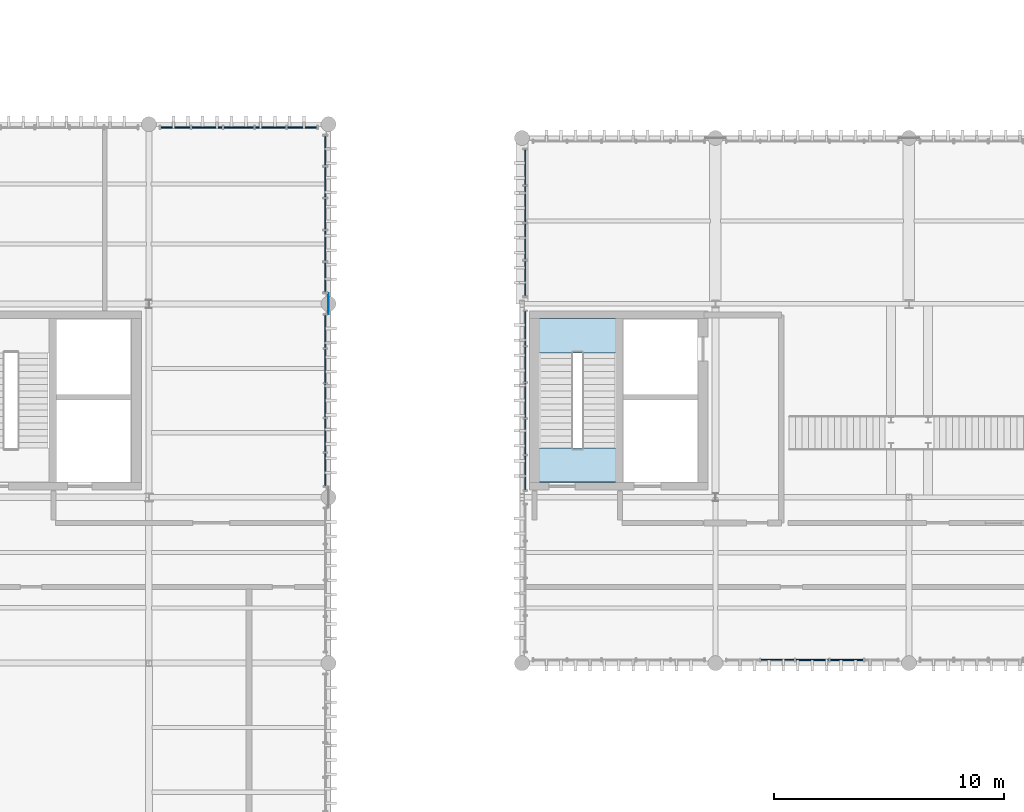
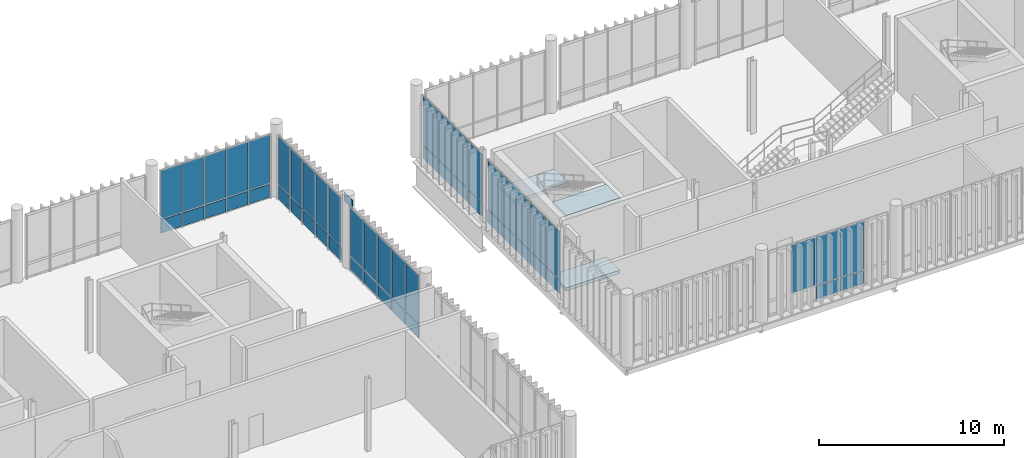
# One storey, part 64 of 86: 54 plates, 3 slabs, 7 elements without a shape of their own.
"""IFC4 building model written with IfcOpenShell, lengths in metres."""

from ifc_helpers import new_model, si_unit, direction, frame, frame_2d, origin_with_axes, origin_2d_with_axis, place, context, subcontext, project, spatial, polyline, rectangle, outline, extrude, material, layer, layer_set, type_object, element, aggregate, save


model = new_model("IFC4")

# Units and contexts
model_context = context("Model", 3, precision=1e-05, world=origin_with_axes(), true_north=direction((0.0, 1.0)))
body_context = subcontext(model_context, "Body", "Model", "MODEL_VIEW")
ifc_project = project(units=[si_unit("LENGTHUNIT", "METRE"), si_unit("AREAUNIT", "SQUARE_METRE"), si_unit("VOLUMEUNIT", "CUBIC_METRE"), si_unit("PLANEANGLEUNIT", "RADIAN"), si_unit("MASSUNIT", "GRAM", prefix="KILO"), si_unit("THERMODYNAMICTEMPERATUREUNIT", "KELVIN")], contexts=[model_context])

# Site, building, storey
site_placement = place(None, origin_with_axes())
site = spatial("IfcSite", under=ifc_project, at=site_placement, CompositionType="ELEMENT")
building_placement = place(site_placement, origin_with_axes())
building = spatial("IfcBuilding", under=site, at=building_placement, Name="Montbau Bow Law Courts", CompositionType="ELEMENT")
storey_placement = place(building_placement, frame((0.0, 0.0, 29.7), z_axis=(0.0, 0.0, 1.0), x_axis=(1.0, 0.0, 0.0)))
storey = spatial("IfcBuildingStorey", under=building, at=storey_placement, Name="L06", CompositionType="ELEMENT", Elevation=29.7)

# Curtain wall, plates
ifc_material_1 = material(Name="Thermally Broken Extruded Aluminium AA 6063-T6", Category="aluminium")
curtain_wall_type_1 = type_object("IfcCurtainWallType", Name="CW-TRC-02", PredefinedType="NOTDEFINED", material=ifc_material_1)
curtain_wall_1_placement = place(None, frame((39.44, 62.26, 29.7), z_axis=(0.0, 0.0, 1.0), x_axis=(1.0, 0.0, 0.0)))
curtain_wall_1 = element("IfcCurtainWall", 1, at=curtain_wall_1_placement, inside=storey, type_object=curtain_wall_type_1, Name="CW-L06-103:cw_0103", PredefinedType="NOTDEFINED")
ifc_material_2 = material(Name="Triple-Glazed Low-E Argon Insulating Glass Unit", Category="glass")
ifc_layer_1 = layer(ifc_material_2, 0.044, Name="Curtain Panel", Category="glass")
ifc_layer_set_1 = layer_set([ifc_layer_1], Name="Triple-Glazed Low-E Argon Insulating Glass Unit")
plate_type_1 = type_object("IfcPlateType", Name="PL-CWP-01", PredefinedType="CURTAIN_PANEL", material=ifc_layer_set_1)
plate_1_placement = place(None, frame((39.508, 62.26, 30.679), z_axis=(0.0, -1.0, 0.0), x_axis=(1.0, 0.0, 0.0)))
plate_1 = element("IfcPlate", 2, at=plate_1_placement, type_object=plate_type_1, Name="CW-L06-103-P01-2:cw_0103_P01_2", PredefinedType="CURTAIN_PANEL", context=body_context, shape_type="SweptSolid", body=[
    extrude(rectangle(XDim=1.281, YDim=3.183, at=frame_2d((0.6405, 1.5915), x_axis=(1.0, 0.0))), frame((0.0, 0.0, -0.022), z_axis=(0.0, 0.0, 1.0), x_axis=(1.0, 0.0, 0.0)), (0.0, 0.0, 1.0), 0.044),
])
plate_2_placement = place(None, frame((40.858, 62.26, 30.679), z_axis=(0.0, -1.0, 0.0), x_axis=(1.0, 0.0, 0.0)))
plate_2 = element("IfcPlate", 3, at=plate_2_placement, type_object=plate_type_1, Name="CW-L06-103-P02-2:cw_0103_P02_2", PredefinedType="CURTAIN_PANEL", context=body_context, shape_type="SweptSolid", body=[
    extrude(rectangle(XDim=1.315, YDim=3.183, at=frame_2d((0.6575, 1.5915), x_axis=(1.0, 0.0))), frame((0.0, 0.0, -0.022), z_axis=(0.0, 0.0, 1.0), x_axis=(1.0, 0.0, 0.0)), (0.0, 0.0, 1.0), 0.044),
])
plate_3_placement = place(None, frame((42.242, 62.26, 30.679), z_axis=(0.0, -1.0, 0.0), x_axis=(1.0, 0.0, 0.0)))
plate_3 = element("IfcPlate", 4, at=plate_3_placement, type_object=plate_type_1, Name="CW-L06-103-P03-2:cw_0103_P03_2", PredefinedType="CURTAIN_PANEL", context=body_context, shape_type="SweptSolid", body=[
    extrude(rectangle(XDim=1.316, YDim=3.183, at=frame_2d((0.658, 1.5915), x_axis=(1.0, 0.0))), frame((0.0, 0.0, -0.022), z_axis=(0.0, 0.0, 1.0), x_axis=(1.0, 0.0, 0.0)), (0.0, 0.0, 1.0), 0.044),
])
plate_4_placement = place(None, frame((43.626, 62.26, 30.679), z_axis=(0.0, -1.0, 0.0), x_axis=(1.0, 0.0, 0.0)))
plate_4 = element("IfcPlate", 5, at=plate_4_placement, type_object=plate_type_1, Name="CW-L06-103-P04-2:cw_0103_P04_2", PredefinedType="CURTAIN_PANEL", context=body_context, shape_type="SweptSolid", body=[
    extrude(rectangle(XDim=1.316, YDim=3.183, at=frame_2d((0.658, 1.5915), x_axis=(1.0, 0.0))), frame((0.0, 0.0, -0.022), z_axis=(0.0, 0.0, 1.0), x_axis=(1.0, 0.0, 0.0)), (0.0, 0.0, 1.0), 0.044),
])
plate_5_placement = place(None, frame((45.01, 62.26, 30.679), z_axis=(0.0, -1.0, 0.0), x_axis=(1.0, 0.0, 0.0)))
plate_5 = element("IfcPlate", 6, at=plate_5_placement, type_object=plate_type_1, Name="CW-L06-103-P05-2:cw_0103_P05_2", PredefinedType="CURTAIN_PANEL", context=body_context, shape_type="SweptSolid", body=[
    extrude(rectangle(XDim=1.284, YDim=3.183, at=frame_2d((0.642, 1.5915), x_axis=(1.0, 0.0))), frame((0.0, 0.0, -0.022), z_axis=(0.0, 0.0, 1.0), x_axis=(1.0, 0.0, 0.0)), (0.0, 0.0, 1.0), 0.044),
])

curtain_wall_2_placement = place(None, frame((46.66, 46.64, 29.7), z_axis=(0.0, 0.0, 1.0), x_axis=(1.0, 0.0, 0.0)))
curtain_wall_2 = element("IfcCurtainWall", 7, at=curtain_wall_2_placement, inside=storey, type_object=curtain_wall_type_1, Name="CW-L06-110:cw_0110", PredefinedType="NOTDEFINED")
plate_6_placement = place(None, frame((46.66, 46.702, 30.682), z_axis=(1.0, 0.0, 0.0), x_axis=(0.0, 1.0, 0.0)))
plate_6 = element("IfcPlate", 8, at=plate_6_placement, type_object=plate_type_1, Name="CW-L06-110-P01-2:cw_0110_P01_2", PredefinedType="CURTAIN_PANEL", context=body_context, shape_type="SweptSolid", body=[
    extrude(rectangle(XDim=1.41, YDim=3.176, at=frame_2d((0.705, 1.588), x_axis=(1.0, 0.0))), frame((0.0, 0.0, -0.022), z_axis=(0.0, 0.0, 1.0), x_axis=(1.0, 0.0, 0.0)), (0.0, 0.0, 1.0), 0.044),
])
plate_7_placement = place(None, frame((46.66, 48.176, 30.682), z_axis=(1.0, 0.0, 0.0), x_axis=(0.0, 1.0, 0.0)))
plate_7 = element("IfcPlate", 9, at=plate_7_placement, type_object=plate_type_1, Name="CW-L06-110-P02-2:cw_0110_P02_2", PredefinedType="CURTAIN_PANEL", context=body_context, shape_type="SweptSolid", body=[
    extrude(rectangle(XDim=1.44, YDim=3.176, at=frame_2d((0.72, 1.588), x_axis=(1.0, 0.0))), frame((0.0, 0.0, -0.022), z_axis=(0.0, 0.0, 1.0), x_axis=(1.0, 0.0, 0.0)), (0.0, 0.0, 1.0), 0.044),
])
plate_8_placement = place(None, frame((46.66, 49.68, 30.682), z_axis=(1.0, 0.0, 0.0), x_axis=(0.0, 1.0, 0.0)))
plate_8 = element("IfcPlate", 10, at=plate_8_placement, type_object=plate_type_1, Name="CW-L06-110-P03-2:cw_0110_P03_2", PredefinedType="CURTAIN_PANEL", context=body_context, shape_type="SweptSolid", body=[
    extrude(rectangle(XDim=1.44, YDim=3.176, at=frame_2d((0.72, 1.588), x_axis=(1.0, 0.0))), frame((0.0, 0.0, -0.022), z_axis=(0.0, 0.0, 1.0), x_axis=(1.0, 0.0, 0.0)), (0.0, 0.0, 1.0), 0.044),
])
plate_9_placement = place(None, frame((46.66, 51.184, 30.682), z_axis=(1.0, 0.0, 0.0), x_axis=(0.0, 1.0, 0.0)))
plate_9 = element("IfcPlate", 11, at=plate_9_placement, type_object=plate_type_1, Name="CW-L06-110-P04-2:cw_0110_P04_2", PredefinedType="CURTAIN_PANEL", context=body_context, shape_type="SweptSolid", body=[
    extrude(rectangle(XDim=1.44, YDim=3.176, at=frame_2d((0.72, 1.588), x_axis=(1.0, 0.0))), frame((0.0, 0.0, -0.022), z_axis=(0.0, 0.0, 1.0), x_axis=(1.0, 0.0, 0.0)), (0.0, 0.0, 1.0), 0.044),
])
plate_10_placement = place(None, frame((46.66, 52.688, 30.682), z_axis=(1.0, 0.0, 0.0), x_axis=(0.0, 1.0, 0.0)))
plate_10 = element("IfcPlate", 12, at=plate_10_placement, type_object=plate_type_1, Name="CW-L06-110-P05-2:cw_0110_P05_2", PredefinedType="CURTAIN_PANEL", context=body_context, shape_type="SweptSolid", body=[
    extrude(rectangle(XDim=1.41, YDim=3.176, at=frame_2d((0.705, 1.588), x_axis=(1.0, 0.0))), frame((0.0, 0.0, -0.022), z_axis=(0.0, 0.0, 1.0), x_axis=(1.0, 0.0, 0.0)), (0.0, 0.0, 1.0), 0.044),
])

curtain_wall_3_placement = place(None, frame((46.66, 55.04, 29.7), z_axis=(0.0, 0.0, 1.0), x_axis=(1.0, 0.0, 0.0)))
curtain_wall_3 = element("IfcCurtainWall", 13, at=curtain_wall_3_placement, inside=storey, type_object=curtain_wall_type_1, Name="CW-L06-111:cw_0111", PredefinedType="NOTDEFINED")
plate_11_placement = place(None, frame((46.66, 55.116, 30.679), z_axis=(1.0, 0.0, 0.0), x_axis=(0.0, 1.0, 0.0)))
plate_11 = element("IfcPlate", 14, at=plate_11_placement, type_object=plate_type_1, Name="CW-L06-111-P01-2:cw_0111_P01_2", PredefinedType="CURTAIN_PANEL", context=body_context, shape_type="SweptSolid", body=[
    extrude(rectangle(XDim=1.268, YDim=3.183, at=frame_2d((0.634, 1.5915), x_axis=(1.0, 0.0))), frame((0.0, 0.0, -0.022), z_axis=(0.0, 0.0, 1.0), x_axis=(1.0, 0.0, 0.0)), (0.0, 0.0, 1.0), 0.044),
])
plate_12_placement = place(None, frame((46.66, 56.463, 30.679), z_axis=(1.0, 0.0, 0.0), x_axis=(0.0, 1.0, 0.0)))
plate_12 = element("IfcPlate", 15, at=plate_12_placement, type_object=plate_type_1, Name="CW-L06-111-P02-2:cw_0111_P02_2", PredefinedType="CURTAIN_PANEL", context=body_context, shape_type="SweptSolid", body=[
    extrude(rectangle(XDim=1.305, YDim=3.183, at=frame_2d((0.6525, 1.5915), x_axis=(1.0, 0.0))), frame((0.0, 0.0, -0.022), z_axis=(0.0, 0.0, 1.0), x_axis=(1.0, 0.0, 0.0)), (0.0, 0.0, 1.0), 0.044),
])
plate_13_placement = place(None, frame((46.66, 57.847, 30.679), z_axis=(1.0, 0.0, 0.0), x_axis=(0.0, 1.0, 0.0)))
plate_13 = element("IfcPlate", 16, at=plate_13_placement, type_object=plate_type_1, Name="CW-L06-111-P03-2:cw_0111_P03_2", PredefinedType="CURTAIN_PANEL", context=body_context, shape_type="SweptSolid", body=[
    extrude(rectangle(XDim=1.306, YDim=3.183, at=frame_2d((0.653, 1.5915), x_axis=(1.0, 0.0))), frame((0.0, 0.0, -0.022), z_axis=(0.0, 0.0, 1.0), x_axis=(1.0, 0.0, 0.0)), (0.0, 0.0, 1.0), 0.044),
])
plate_14_placement = place(None, frame((46.66, 59.231, 30.679), z_axis=(1.0, 0.0, 0.0), x_axis=(0.0, 1.0, 0.0)))
plate_14 = element("IfcPlate", 17, at=plate_14_placement, type_object=plate_type_1, Name="CW-L06-111-P04-2:cw_0111_P04_2", PredefinedType="CURTAIN_PANEL", context=body_context, shape_type="SweptSolid", body=[
    extrude(rectangle(XDim=1.306, YDim=3.183, at=frame_2d((0.653, 1.5915), x_axis=(1.0, 0.0))), frame((0.0, 0.0, -0.022), z_axis=(0.0, 0.0, 1.0), x_axis=(1.0, 0.0, 0.0)), (0.0, 0.0, 1.0), 0.044),
])
plate_15_placement = place(None, frame((46.66, 60.615, 30.679), z_axis=(1.0, 0.0, 0.0), x_axis=(0.0, 1.0, 0.0)))
plate_15 = element("IfcPlate", 18, at=plate_15_placement, type_object=plate_type_1, Name="CW-L06-111-P05-2:cw_0111_P05_2", PredefinedType="CURTAIN_PANEL", context=body_context, shape_type="SweptSolid", body=[
    extrude(rectangle(XDim=1.269, YDim=3.183, at=frame_2d((0.6345, 1.5915), x_axis=(1.0, 0.0))), frame((0.0, 0.0, -0.022), z_axis=(0.0, 0.0, 1.0), x_axis=(1.0, 0.0, 0.0)), (0.0, 0.0, 1.0), 0.044),
])

curtain_wall_type_2 = type_object("IfcCurtainWallType", Name="CW-CRM-02", PredefinedType="NOTDEFINED", material=ifc_material_1)
curtain_wall_4_placement = place(None, frame((64.04, 39.14, 29.7), z_axis=(0.0, 0.0, 1.0), x_axis=(1.0, 0.0, 0.0)))
curtain_wall_4 = element("IfcCurtainWall", 19, at=curtain_wall_4_placement, inside=storey, type_object=curtain_wall_type_2, Name="CW-L06-224:cw_0224", PredefinedType="NOTDEFINED")
plate_16_placement = place(None, frame((65.576, 39.14, 30.682), z_axis=(0.0, -1.0, 0.0), x_axis=(1.0, 0.0, 0.0)))
plate_16 = element("IfcPlate", 20, at=plate_16_placement, type_object=plate_type_1, Name="CW-L06-224-P02-2:cw_0224_P02_2", PredefinedType="CURTAIN_PANEL", context=body_context, shape_type="SweptSolid", body=[
    extrude(rectangle(XDim=1.44, YDim=3.176, at=frame_2d((0.72, 1.588), x_axis=(1.0, 0.0))), frame((0.0, 0.0, -0.022), z_axis=(0.0, 0.0, 1.0), x_axis=(1.0, 0.0, 0.0)), (0.0, 0.0, 1.0), 0.044),
])
plate_17_placement = place(None, frame((67.08, 39.14, 30.682), z_axis=(0.0, -1.0, 0.0), x_axis=(1.0, 0.0, 0.0)))
plate_17 = element("IfcPlate", 21, at=plate_17_placement, type_object=plate_type_1, Name="CW-L06-224-P03-2:cw_0224_P03_2", PredefinedType="CURTAIN_PANEL", context=body_context, shape_type="SweptSolid", body=[
    extrude(rectangle(XDim=1.44, YDim=3.176, at=frame_2d((0.72, 1.588), x_axis=(1.0, 0.0))), frame((0.0, 0.0, -0.022), z_axis=(0.0, 0.0, 1.0), x_axis=(1.0, 0.0, 0.0)), (0.0, 0.0, 1.0), 0.044),
])
plate_18_placement = place(None, frame((68.584, 39.14, 30.682), z_axis=(0.0, -1.0, 0.0), x_axis=(1.0, 0.0, 0.0)))
plate_18 = element("IfcPlate", 22, at=plate_18_placement, type_object=plate_type_1, Name="CW-L06-224-P04-2:cw_0224_P04_2", PredefinedType="CURTAIN_PANEL", context=body_context, shape_type="SweptSolid", body=[
    extrude(rectangle(XDim=1.44, YDim=3.176, at=frame_2d((0.72, 1.588), x_axis=(1.0, 0.0))), frame((0.0, 0.0, -0.022), z_axis=(0.0, 0.0, 1.0), x_axis=(1.0, 0.0, 0.0)), (0.0, 0.0, 1.0), 0.044),
])

curtain_wall_5_placement = place(None, frame((55.34, 46.468, 29.7), z_axis=(0.0, 0.0, 1.0), x_axis=(1.0, 0.0, 0.0)))
curtain_wall_5 = element("IfcCurtainWall", 23, at=curtain_wall_5_placement, inside=storey, type_object=curtain_wall_type_2, Name="CW-L06-236:cw_0236", PredefinedType="NOTDEFINED")
plate_19_placement = place(None, frame((55.34, 46.53, 30.682), z_axis=(1.0, 0.0, 0.0), x_axis=(0.0, 1.0, 0.0)))
plate_19 = element("IfcPlate", 24, at=plate_19_placement, type_object=plate_type_1, Name="CW-L06-236-P01-2:cw_0236_P01_2", PredefinedType="CURTAIN_PANEL", context=body_context, shape_type="SweptSolid", body=[
    extrude(rectangle(XDim=1.479, YDim=3.176, at=frame_2d((0.7395, 1.588), x_axis=(1.0, 0.0))), frame((0.0, 0.0, -0.022), z_axis=(0.0, 0.0, 1.0), x_axis=(1.0, 0.0, 0.0)), (0.0, 0.0, 1.0), 0.044),
])
plate_20_placement = place(None, frame((55.34, 48.073, 30.682), z_axis=(1.0, 0.0, 0.0), x_axis=(0.0, 1.0, 0.0)))
plate_20 = element("IfcPlate", 25, at=plate_20_placement, type_object=plate_type_1, Name="CW-L06-236-P02-2:cw_0236_P02_2", PredefinedType="CURTAIN_PANEL", context=body_context, shape_type="SweptSolid", body=[
    extrude(rectangle(XDim=1.509, YDim=3.176, at=frame_2d((0.7545, 1.588), x_axis=(1.0, 0.0))), frame((0.0, 0.0, -0.022), z_axis=(0.0, 0.0, 1.0), x_axis=(1.0, 0.0, 0.0)), (0.0, 0.0, 1.0), 0.044),
])
plate_21_placement = place(None, frame((55.34, 49.646, 30.682), z_axis=(1.0, 0.0, 0.0), x_axis=(0.0, 1.0, 0.0)))
plate_21 = element("IfcPlate", 26, at=plate_21_placement, type_object=plate_type_1, Name="CW-L06-236-P03-2:cw_0236_P03_2", PredefinedType="CURTAIN_PANEL", context=body_context, shape_type="SweptSolid", body=[
    extrude(rectangle(XDim=1.508, YDim=3.176, at=frame_2d((0.754, 1.588), x_axis=(1.0, 0.0))), frame((0.0, 0.0, -0.022), z_axis=(0.0, 0.0, 1.0), x_axis=(1.0, 0.0, 0.0)), (0.0, 0.0, 1.0), 0.044),
])
plate_22_placement = place(None, frame((55.34, 51.218, 30.682), z_axis=(1.0, 0.0, 0.0), x_axis=(0.0, 1.0, 0.0)))
plate_22 = element("IfcPlate", 27, at=plate_22_placement, type_object=plate_type_1, Name="CW-L06-236-P04-2:cw_0236_P04_2", PredefinedType="CURTAIN_PANEL", context=body_context, shape_type="SweptSolid", body=[
    extrude(rectangle(XDim=1.509, YDim=3.176, at=frame_2d((0.7545, 1.588), x_axis=(1.0, 0.0))), frame((0.0, 0.0, -0.022), z_axis=(0.0, 0.0, 1.0), x_axis=(1.0, 0.0, 0.0)), (0.0, 0.0, 1.0), 0.044),
])
plate_23_placement = place(None, frame((55.34, 52.791, 30.682), z_axis=(1.0, 0.0, 0.0), x_axis=(0.0, 1.0, 0.0)))
plate_23 = element("IfcPlate", 28, at=plate_23_placement, type_object=plate_type_1, Name="CW-L06-236-P05-2:cw_0236_P05_2", PredefinedType="CURTAIN_PANEL", context=body_context, shape_type="SweptSolid", body=[
    extrude(rectangle(XDim=1.479, YDim=3.176, at=frame_2d((0.7395, 1.588), x_axis=(1.0, 0.0))), frame((0.0, 0.0, -0.022), z_axis=(0.0, 0.0, 1.0), x_axis=(1.0, 0.0, 0.0)), (0.0, 0.0, 1.0), 0.044),
])

curtain_wall_6_placement = place(None, frame((55.34, 54.868, 29.7), z_axis=(0.0, 0.0, 1.0), x_axis=(1.0, 0.0, 0.0)))
curtain_wall_6 = element("IfcCurtainWall", 29, at=curtain_wall_6_placement, inside=storey, type_object=curtain_wall_type_2, Name="CW-L06-237:cw_0237", PredefinedType="NOTDEFINED")
plate_24_placement = place(None, frame((55.34, 54.944, 30.679), z_axis=(1.0, 0.0, 0.0), x_axis=(0.0, 1.0, 0.0)))
plate_24 = element("IfcPlate", 30, at=plate_24_placement, type_object=plate_type_1, Name="CW-L06-237-P01-2:cw_0237_P01_2", PredefinedType="CURTAIN_PANEL", context=body_context, shape_type="SweptSolid", body=[
    extrude(rectangle(XDim=1.507, YDim=3.183, at=frame_2d((0.7535, 1.5915), x_axis=(1.0, 0.0))), frame((0.0, 0.0, -0.022), z_axis=(0.0, 0.0, 1.0), x_axis=(1.0, 0.0, 0.0)), (0.0, 0.0, 1.0), 0.044),
])
plate_25_placement = place(None, frame((55.34, 56.531, 30.679), z_axis=(1.0, 0.0, 0.0), x_axis=(0.0, 1.0, 0.0)))
plate_25 = element("IfcPlate", 31, at=plate_25_placement, type_object=plate_type_1, Name="CW-L06-237-P02-2:cw_0237_P02_2", PredefinedType="CURTAIN_PANEL", context=body_context, shape_type="SweptSolid", body=[
    extrude(rectangle(XDim=1.544, YDim=3.183, at=frame_2d((0.772, 1.5915), x_axis=(1.0, 0.0))), frame((0.0, 0.0, -0.022), z_axis=(0.0, 0.0, 1.0), x_axis=(1.0, 0.0, 0.0)), (0.0, 0.0, 1.0), 0.044),
])
plate_26_placement = place(None, frame((55.34, 58.153, 30.679), z_axis=(1.0, 0.0, 0.0), x_axis=(0.0, 1.0, 0.0)))
plate_26 = element("IfcPlate", 32, at=plate_26_placement, type_object=plate_type_1, Name="CW-L06-237-P03-2:cw_0237_P03_2", PredefinedType="CURTAIN_PANEL", context=body_context, shape_type="SweptSolid", body=[
    extrude(rectangle(XDim=1.545, YDim=3.183, at=frame_2d((0.7725, 1.5915), x_axis=(1.0, 0.0))), frame((0.0, 0.0, -0.022), z_axis=(0.0, 0.0, 1.0), x_axis=(1.0, 0.0, 0.0)), (0.0, 0.0, 1.0), 0.044),
])
plate_27_placement = place(None, frame((55.34, 59.776, 30.679), z_axis=(1.0, 0.0, 0.0), x_axis=(0.0, 1.0, 0.0)))
plate_27 = element("IfcPlate", 33, at=plate_27_placement, type_object=plate_type_1, Name="CW-L06-237-P04-2:cw_0237_P04_2", PredefinedType="CURTAIN_PANEL", context=body_context, shape_type="SweptSolid", body=[
    extrude(rectangle(XDim=1.507, YDim=3.183, at=frame_2d((0.7535, 1.5915), x_axis=(1.0, 0.0))), frame((0.0, 0.0, -0.022), z_axis=(0.0, 0.0, 1.0), x_axis=(1.0, 0.0, 0.0)), (0.0, 0.0, 1.0), 0.044),
])

# Plate
ifc_material_3 = material(Name="Insulated Ceramic-Frit Spandrel Glazing Unit", Category="glass")
ifc_layer_2 = layer(ifc_material_3, 0.056, Name="Curtain Panel", Category="glass")
ifc_layer_set_2 = layer_set([ifc_layer_2], Name="Insulated Ceramic-Frit Spandrel Glazing Unit")
plate_type_2 = type_object("IfcPlateType", Name="PL-CWP-02", PredefinedType="CURTAIN_PANEL", material=ifc_layer_set_2)
plate_28_placement = place(None, frame((39.508, 62.26, 29.756), z_axis=(0.0, -1.0, 0.0), x_axis=(1.0, 0.0, 0.0)))
plate_28 = element("IfcPlate", 34, at=plate_28_placement, type_object=plate_type_2, Name="CW-L06-103-P01-1:cw_0103_P01_1", PredefinedType="CURTAIN_PANEL", context=body_context, shape_type="SweptSolid", body=[
    extrude(rectangle(XDim=1.281, YDim=0.864, at=frame_2d((0.6405, 0.432), x_axis=(1.0, 0.0))), frame((0.0, 0.0, -0.028), z_axis=(0.0, 0.0, 1.0), x_axis=(1.0, 0.0, 0.0)), (0.0, 0.0, 1.0), 0.056),
])

plate_29_placement = place(None, frame((40.858, 62.26, 29.756), z_axis=(0.0, -1.0, 0.0), x_axis=(1.0, 0.0, 0.0)))
plate_29 = element("IfcPlate", 35, at=plate_29_placement, type_object=plate_type_2, Name="CW-L06-103-P02-1:cw_0103_P02_1", PredefinedType="CURTAIN_PANEL", context=body_context, shape_type="SweptSolid", body=[
    extrude(rectangle(XDim=1.315, YDim=0.864, at=frame_2d((0.6575, 0.432), x_axis=(1.0, 0.0))), frame((0.0, 0.0, -0.028), z_axis=(0.0, 0.0, 1.0), x_axis=(1.0, 0.0, 0.0)), (0.0, 0.0, 1.0), 0.056),
])

plate_30_placement = place(None, frame((42.242, 62.26, 29.756), z_axis=(0.0, -1.0, 0.0), x_axis=(1.0, 0.0, 0.0)))
plate_30 = element("IfcPlate", 36, at=plate_30_placement, type_object=plate_type_2, Name="CW-L06-103-P03-1:cw_0103_P03_1", PredefinedType="CURTAIN_PANEL", context=body_context, shape_type="SweptSolid", body=[
    extrude(rectangle(XDim=1.316, YDim=0.864, at=frame_2d((0.658, 0.432), x_axis=(1.0, 0.0))), frame((0.0, 0.0, -0.028), z_axis=(0.0, 0.0, 1.0), x_axis=(1.0, 0.0, 0.0)), (0.0, 0.0, 1.0), 0.056),
])

plate_31_placement = place(None, frame((43.626, 62.26, 29.756), z_axis=(0.0, -1.0, 0.0), x_axis=(1.0, 0.0, 0.0)))
plate_31 = element("IfcPlate", 37, at=plate_31_placement, type_object=plate_type_2, Name="CW-L06-103-P04-1:cw_0103_P04_1", PredefinedType="CURTAIN_PANEL", context=body_context, shape_type="SweptSolid", body=[
    extrude(rectangle(XDim=1.316, YDim=0.864, at=frame_2d((0.658, 0.432), x_axis=(1.0, 0.0))), frame((0.0, 0.0, -0.028), z_axis=(0.0, 0.0, 1.0), x_axis=(1.0, 0.0, 0.0)), (0.0, 0.0, 1.0), 0.056),
])

plate_32_placement = place(None, frame((45.01, 62.26, 29.756), z_axis=(0.0, -1.0, 0.0), x_axis=(1.0, 0.0, 0.0)))
plate_32 = element("IfcPlate", 38, at=plate_32_placement, type_object=plate_type_2, Name="CW-L06-103-P05-1:cw_0103_P05_1", PredefinedType="CURTAIN_PANEL", context=body_context, shape_type="SweptSolid", body=[
    extrude(rectangle(XDim=1.284, YDim=0.864, at=frame_2d((0.642, 0.432), x_axis=(1.0, 0.0))), frame((0.0, 0.0, -0.028), z_axis=(0.0, 0.0, 1.0), x_axis=(1.0, 0.0, 0.0)), (0.0, 0.0, 1.0), 0.056),
])

aggregate(curtain_wall_1, [plate_28, plate_1, plate_29, plate_2, plate_30, plate_3, plate_31, plate_4, plate_32, plate_5])

plate_33_placement = place(None, frame((46.66, 46.702, 29.762), z_axis=(1.0, 0.0, 0.0), x_axis=(0.0, 1.0, 0.0)))
plate_33 = element("IfcPlate", 39, at=plate_33_placement, type_object=plate_type_2, Name="CW-L06-110-P01-1:cw_0110_P01_1", PredefinedType="CURTAIN_PANEL", context=body_context, shape_type="SweptSolid", body=[
    extrude(rectangle(XDim=1.41, YDim=0.856, at=frame_2d((0.705, 0.428), x_axis=(1.0, 0.0))), frame((0.0, 0.0, -0.028), z_axis=(0.0, 0.0, 1.0), x_axis=(1.0, 0.0, 0.0)), (0.0, 0.0, 1.0), 0.056),
])

plate_34_placement = place(None, frame((46.66, 48.176, 29.762), z_axis=(1.0, 0.0, 0.0), x_axis=(0.0, 1.0, 0.0)))
plate_34 = element("IfcPlate", 40, at=plate_34_placement, type_object=plate_type_2, Name="CW-L06-110-P02-1:cw_0110_P02_1", PredefinedType="CURTAIN_PANEL", context=body_context, shape_type="SweptSolid", body=[
    extrude(rectangle(XDim=1.44, YDim=0.856, at=frame_2d((0.72, 0.428), x_axis=(1.0, 0.0))), frame((0.0, 0.0, -0.028), z_axis=(0.0, 0.0, 1.0), x_axis=(1.0, 0.0, 0.0)), (0.0, 0.0, 1.0), 0.056),
])

plate_35_placement = place(None, frame((46.66, 49.68, 29.762), z_axis=(1.0, 0.0, 0.0), x_axis=(0.0, 1.0, 0.0)))
plate_35 = element("IfcPlate", 41, at=plate_35_placement, type_object=plate_type_2, Name="CW-L06-110-P03-1:cw_0110_P03_1", PredefinedType="CURTAIN_PANEL", context=body_context, shape_type="SweptSolid", body=[
    extrude(rectangle(XDim=1.44, YDim=0.856, at=frame_2d((0.72, 0.428), x_axis=(1.0, 0.0))), frame((0.0, 0.0, -0.028), z_axis=(0.0, 0.0, 1.0), x_axis=(1.0, 0.0, 0.0)), (0.0, 0.0, 1.0), 0.056),
])

plate_36_placement = place(None, frame((46.66, 51.184, 29.762), z_axis=(1.0, 0.0, 0.0), x_axis=(0.0, 1.0, 0.0)))
plate_36 = element("IfcPlate", 42, at=plate_36_placement, type_object=plate_type_2, Name="CW-L06-110-P04-1:cw_0110_P04_1", PredefinedType="CURTAIN_PANEL", context=body_context, shape_type="SweptSolid", body=[
    extrude(rectangle(XDim=1.44, YDim=0.856, at=frame_2d((0.72, 0.428), x_axis=(1.0, 0.0))), frame((0.0, 0.0, -0.028), z_axis=(0.0, 0.0, 1.0), x_axis=(1.0, 0.0, 0.0)), (0.0, 0.0, 1.0), 0.056),
])

plate_37_placement = place(None, frame((46.66, 52.688, 29.762), z_axis=(1.0, 0.0, 0.0), x_axis=(0.0, 1.0, 0.0)))
plate_37 = element("IfcPlate", 43, at=plate_37_placement, type_object=plate_type_2, Name="CW-L06-110-P05-1:cw_0110_P05_1", PredefinedType="CURTAIN_PANEL", context=body_context, shape_type="SweptSolid", body=[
    extrude(rectangle(XDim=1.41, YDim=0.856, at=frame_2d((0.705, 0.428), x_axis=(1.0, 0.0))), frame((0.0, 0.0, -0.028), z_axis=(0.0, 0.0, 1.0), x_axis=(1.0, 0.0, 0.0)), (0.0, 0.0, 1.0), 0.056),
])

aggregate(curtain_wall_2, [plate_33, plate_6, plate_34, plate_7, plate_35, plate_8, plate_36, plate_9, plate_37, plate_10])

plate_38_placement = place(None, frame((46.66, 55.116, 29.756), z_axis=(1.0, 0.0, 0.0), x_axis=(0.0, 1.0, 0.0)))
plate_38 = element("IfcPlate", 44, at=plate_38_placement, type_object=plate_type_2, Name="CW-L06-111-P01-1:cw_0111_P01_1", PredefinedType="CURTAIN_PANEL", context=body_context, shape_type="SweptSolid", body=[
    extrude(rectangle(XDim=1.268, YDim=0.864, at=frame_2d((0.634, 0.432), x_axis=(1.0, 0.0))), frame((0.0, 0.0, -0.028), z_axis=(0.0, 0.0, 1.0), x_axis=(1.0, 0.0, 0.0)), (0.0, 0.0, 1.0), 0.056),
])

plate_39_placement = place(None, frame((46.66, 56.463, 29.756), z_axis=(1.0, 0.0, 0.0), x_axis=(0.0, 1.0, 0.0)))
plate_39 = element("IfcPlate", 45, at=plate_39_placement, type_object=plate_type_2, Name="CW-L06-111-P02-1:cw_0111_P02_1", PredefinedType="CURTAIN_PANEL", context=body_context, shape_type="SweptSolid", body=[
    extrude(rectangle(XDim=1.305, YDim=0.864, at=frame_2d((0.6525, 0.432), x_axis=(1.0, 0.0))), frame((0.0, 0.0, -0.028), z_axis=(0.0, 0.0, 1.0), x_axis=(1.0, 0.0, 0.0)), (0.0, 0.0, 1.0), 0.056),
])

plate_40_placement = place(None, frame((46.66, 57.847, 29.756), z_axis=(1.0, 0.0, 0.0), x_axis=(0.0, 1.0, 0.0)))
plate_40 = element("IfcPlate", 46, at=plate_40_placement, type_object=plate_type_2, Name="CW-L06-111-P03-1:cw_0111_P03_1", PredefinedType="CURTAIN_PANEL", context=body_context, shape_type="SweptSolid", body=[
    extrude(rectangle(XDim=1.306, YDim=0.864, at=frame_2d((0.653, 0.432), x_axis=(1.0, 0.0))), frame((0.0, 0.0, -0.028), z_axis=(0.0, 0.0, 1.0), x_axis=(1.0, 0.0, 0.0)), (0.0, 0.0, 1.0), 0.056),
])

plate_41_placement = place(None, frame((46.66, 59.231, 29.756), z_axis=(1.0, 0.0, 0.0), x_axis=(0.0, 1.0, 0.0)))
plate_41 = element("IfcPlate", 47, at=plate_41_placement, type_object=plate_type_2, Name="CW-L06-111-P04-1:cw_0111_P04_1", PredefinedType="CURTAIN_PANEL", context=body_context, shape_type="SweptSolid", body=[
    extrude(rectangle(XDim=1.306, YDim=0.864, at=frame_2d((0.653, 0.432), x_axis=(1.0, 0.0))), frame((0.0, 0.0, -0.028), z_axis=(0.0, 0.0, 1.0), x_axis=(1.0, 0.0, 0.0)), (0.0, 0.0, 1.0), 0.056),
])

plate_42_placement = place(None, frame((46.66, 60.615, 29.756), z_axis=(1.0, 0.0, 0.0), x_axis=(0.0, 1.0, 0.0)))
plate_42 = element("IfcPlate", 48, at=plate_42_placement, type_object=plate_type_2, Name="CW-L06-111-P05-1:cw_0111_P05_1", PredefinedType="CURTAIN_PANEL", context=body_context, shape_type="SweptSolid", body=[
    extrude(rectangle(XDim=1.269, YDim=0.864, at=frame_2d((0.6345, 0.432), x_axis=(1.0, 0.0))), frame((0.0, 0.0, -0.028), z_axis=(0.0, 0.0, 1.0), x_axis=(1.0, 0.0, 0.0)), (0.0, 0.0, 1.0), 0.056),
])

aggregate(curtain_wall_3, [plate_38, plate_11, plate_39, plate_12, plate_40, plate_13, plate_41, plate_14, plate_42, plate_15])

plate_43_placement = place(None, frame((67.08, 39.14, 29.762), z_axis=(0.0, -1.0, 0.0), x_axis=(1.0, 0.0, 0.0)))
plate_43 = element("IfcPlate", 49, at=plate_43_placement, type_object=plate_type_2, Name="CW-L06-224-P03-1:cw_0224_P03_1", PredefinedType="CURTAIN_PANEL", context=body_context, shape_type="SweptSolid", body=[
    extrude(rectangle(XDim=1.44, YDim=0.856, at=frame_2d((0.72, 0.428), x_axis=(1.0, 0.0))), frame((0.0, 0.0, -0.028), z_axis=(0.0, 0.0, 1.0), x_axis=(1.0, 0.0, 0.0)), (0.0, 0.0, 1.0), 0.056),
])

plate_44_placement = place(None, frame((68.584, 39.14, 29.762), z_axis=(0.0, -1.0, 0.0), x_axis=(1.0, 0.0, 0.0)))
plate_44 = element("IfcPlate", 50, at=plate_44_placement, type_object=plate_type_2, Name="CW-L06-224-P04-1:cw_0224_P04_1", PredefinedType="CURTAIN_PANEL", context=body_context, shape_type="SweptSolid", body=[
    extrude(rectangle(XDim=1.44, YDim=0.856, at=frame_2d((0.72, 0.428), x_axis=(1.0, 0.0))), frame((0.0, 0.0, -0.028), z_axis=(0.0, 0.0, 1.0), x_axis=(1.0, 0.0, 0.0)), (0.0, 0.0, 1.0), 0.056),
])

aggregate(curtain_wall_4, [plate_16, plate_43, plate_17, plate_44, plate_18])

plate_45_placement = place(None, frame((55.34, 46.53, 29.762), z_axis=(1.0, 0.0, 0.0), x_axis=(0.0, 1.0, 0.0)))
plate_45 = element("IfcPlate", 51, at=plate_45_placement, type_object=plate_type_2, Name="CW-L06-236-P01-1:cw_0236_P01_1", PredefinedType="CURTAIN_PANEL", context=body_context, shape_type="SweptSolid", body=[
    extrude(rectangle(XDim=1.479, YDim=0.856, at=frame_2d((0.7395, 0.428), x_axis=(1.0, 0.0))), frame((0.0, 0.0, -0.028), z_axis=(0.0, 0.0, 1.0), x_axis=(1.0, 0.0, 0.0)), (0.0, 0.0, 1.0), 0.056),
])

plate_46_placement = place(None, frame((55.34, 48.073, 29.762), z_axis=(1.0, 0.0, 0.0), x_axis=(0.0, 1.0, 0.0)))
plate_46 = element("IfcPlate", 52, at=plate_46_placement, type_object=plate_type_2, Name="CW-L06-236-P02-1:cw_0236_P02_1", PredefinedType="CURTAIN_PANEL", context=body_context, shape_type="SweptSolid", body=[
    extrude(rectangle(XDim=1.509, YDim=0.856, at=frame_2d((0.7545, 0.428), x_axis=(1.0, 0.0))), frame((0.0, 0.0, -0.028), z_axis=(0.0, 0.0, 1.0), x_axis=(1.0, 0.0, 0.0)), (0.0, 0.0, 1.0), 0.056),
])

plate_47_placement = place(None, frame((55.34, 49.646, 29.762), z_axis=(1.0, 0.0, 0.0), x_axis=(0.0, 1.0, 0.0)))
plate_47 = element("IfcPlate", 53, at=plate_47_placement, type_object=plate_type_2, Name="CW-L06-236-P03-1:cw_0236_P03_1", PredefinedType="CURTAIN_PANEL", context=body_context, shape_type="SweptSolid", body=[
    extrude(rectangle(XDim=1.508, YDim=0.856, at=frame_2d((0.754, 0.428), x_axis=(1.0, 0.0))), frame((0.0, 0.0, -0.028), z_axis=(0.0, 0.0, 1.0), x_axis=(1.0, 0.0, 0.0)), (0.0, 0.0, 1.0), 0.056),
])

plate_48_placement = place(None, frame((55.34, 51.218, 29.762), z_axis=(1.0, 0.0, 0.0), x_axis=(0.0, 1.0, 0.0)))
plate_48 = element("IfcPlate", 54, at=plate_48_placement, type_object=plate_type_2, Name="CW-L06-236-P04-1:cw_0236_P04_1", PredefinedType="CURTAIN_PANEL", context=body_context, shape_type="SweptSolid", body=[
    extrude(rectangle(XDim=1.509, YDim=0.856, at=frame_2d((0.7545, 0.428), x_axis=(1.0, 0.0))), frame((0.0, 0.0, -0.028), z_axis=(0.0, 0.0, 1.0), x_axis=(1.0, 0.0, 0.0)), (0.0, 0.0, 1.0), 0.056),
])

plate_49_placement = place(None, frame((55.34, 52.791, 29.762), z_axis=(1.0, 0.0, 0.0), x_axis=(0.0, 1.0, 0.0)))
plate_49 = element("IfcPlate", 55, at=plate_49_placement, type_object=plate_type_2, Name="CW-L06-236-P05-1:cw_0236_P05_1", PredefinedType="CURTAIN_PANEL", context=body_context, shape_type="SweptSolid", body=[
    extrude(rectangle(XDim=1.479, YDim=0.856, at=frame_2d((0.7395, 0.428), x_axis=(1.0, 0.0))), frame((0.0, 0.0, -0.028), z_axis=(0.0, 0.0, 1.0), x_axis=(1.0, 0.0, 0.0)), (0.0, 0.0, 1.0), 0.056),
])

aggregate(curtain_wall_5, [plate_45, plate_19, plate_46, plate_20, plate_47, plate_21, plate_48, plate_22, plate_49, plate_23])

plate_50_placement = place(None, frame((55.34, 54.944, 29.756), z_axis=(1.0, 0.0, 0.0), x_axis=(0.0, 1.0, 0.0)))
plate_50 = element("IfcPlate", 56, at=plate_50_placement, type_object=plate_type_2, Name="CW-L06-237-P01-1:cw_0237_P01_1", PredefinedType="CURTAIN_PANEL", context=body_context, shape_type="SweptSolid", body=[
    extrude(rectangle(XDim=1.507, YDim=0.864, at=frame_2d((0.7535, 0.432), x_axis=(1.0, 0.0))), frame((0.0, 0.0, -0.028), z_axis=(0.0, 0.0, 1.0), x_axis=(1.0, 0.0, 0.0)), (0.0, 0.0, 1.0), 0.056),
])

plate_51_placement = place(None, frame((55.34, 56.531, 29.756), z_axis=(1.0, 0.0, 0.0), x_axis=(0.0, 1.0, 0.0)))
plate_51 = element("IfcPlate", 57, at=plate_51_placement, type_object=plate_type_2, Name="CW-L06-237-P02-1:cw_0237_P02_1", PredefinedType="CURTAIN_PANEL", context=body_context, shape_type="SweptSolid", body=[
    extrude(rectangle(XDim=1.544, YDim=0.864, at=frame_2d((0.772, 0.432), x_axis=(1.0, 0.0))), frame((0.0, 0.0, -0.028), z_axis=(0.0, 0.0, 1.0), x_axis=(1.0, 0.0, 0.0)), (0.0, 0.0, 1.0), 0.056),
])

plate_52_placement = place(None, frame((55.34, 58.153, 29.756), z_axis=(1.0, 0.0, 0.0), x_axis=(0.0, 1.0, 0.0)))
plate_52 = element("IfcPlate", 58, at=plate_52_placement, type_object=plate_type_2, Name="CW-L06-237-P03-1:cw_0237_P03_1", PredefinedType="CURTAIN_PANEL", context=body_context, shape_type="SweptSolid", body=[
    extrude(rectangle(XDim=1.545, YDim=0.864, at=frame_2d((0.7725, 0.432), x_axis=(1.0, 0.0))), frame((0.0, 0.0, -0.028), z_axis=(0.0, 0.0, 1.0), x_axis=(1.0, 0.0, 0.0)), (0.0, 0.0, 1.0), 0.056),
])

plate_53_placement = place(None, frame((55.34, 59.776, 29.756), z_axis=(1.0, 0.0, 0.0), x_axis=(0.0, 1.0, 0.0)))
plate_53 = element("IfcPlate", 59, at=plate_53_placement, type_object=plate_type_2, Name="CW-L06-237-P04-1:cw_0237_P04_1", PredefinedType="CURTAIN_PANEL", context=body_context, shape_type="SweptSolid", body=[
    extrude(rectangle(XDim=1.507, YDim=0.864, at=frame_2d((0.7535, 0.432), x_axis=(1.0, 0.0))), frame((0.0, 0.0, -0.028), z_axis=(0.0, 0.0, 1.0), x_axis=(1.0, 0.0, 0.0)), (0.0, 0.0, 1.0), 0.056),
])

aggregate(curtain_wall_6, [plate_50, plate_24, plate_51, plate_25, plate_52, plate_26, plate_53, plate_27])

ifc_material_4 = material(Name="Steel CSA G40.21 Grade 350WT (350 MPa)", Category="steel")
ifc_layer_3 = layer(ifc_material_4, 0.032, Name="Gusset Plate", Category="steel")
ifc_layer_set_3 = layer_set([ifc_layer_3], Name="Steel CSA G40.21 Grade 350WT (350 MPa)")
plate_type_3 = type_object("IfcPlateType", Name="PL-GUS-01", PredefinedType="USERDEFINED", material=ifc_layer_set_3)
plate_54_placement = place(None, frame((46.8, 54.6, 33.717), z_axis=(0.0, 0.0, 1.0), x_axis=(0.0, 1.0, 0.0)))
element("IfcPlate", 60, at=plate_54_placement, inside=storey, type_object=plate_type_3, Name="BGP-L06-117:plt_0148", ObjectType="GUSSET_PLATE", PredefinedType="USERDEFINED", context=body_context, shape_type="SweptSolid", body=[
    extrude(rectangle(XDim=0.9, YDim=0.032, at=origin_2d_with_axis()), origin_with_axes(), (0.0, 0.0, 1.0), 0.56),
])

# Stair, slabs
ifc_material_5 = material(Name="Concrete CSA A23.1 f'c 40 MPa", Category="concrete")
stair_type = type_object("IfcStairType", Name="ST-PUB-1800", PredefinedType="HALF_TURN_STAIR", material=ifc_material_5)
stair_placement = place(None, frame((56.705, 48.3, 29.7), z_axis=(0.0, 0.0, 1.0), x_axis=(1.0, 0.0, 0.0)))
stair = element("IfcStair", 61, at=stair_placement, inside=storey, type_object=stair_type, Name="ST-P4-L06:str_0024", PredefinedType="HALF_TURN_STAIR")
ifc_layer_4 = layer(ifc_material_5, 0.21, Name="Landing", Category="concrete")
ifc_layer_set_4 = layer_set([ifc_layer_4], Name="Concrete CSA A23.1 f'c 40 MPa")
slab_type = type_object("IfcSlabType", Name="SL-LND-02", PredefinedType="LANDING", material=ifc_layer_set_4)
slab_1_placement = place(None, frame((0.0, 0.0, 29.49), z_axis=(0.0, 0.0, 1.0), x_axis=(1.0, 0.0, 0.0)))
slab_1 = element("IfcSlab", 62, at=slab_1_placement, type_object=slab_type, Name="ST-P4-L06-LB:str_0024_LB", PredefinedType="LANDING", context=body_context, shape_type="SweptSolid", body=[
    extrude(outline(polyline([(55.92, 46.87), (59.3, 46.87), (59.3, 48.34), (55.92, 48.34), (55.92, 46.87)])), origin_with_axes(), (0.0, 0.0, 1.0), 0.21),
])
slab_2_placement = place(None, frame((0.0, 0.0, 31.89), z_axis=(0.0, 0.0, 1.0), x_axis=(1.0, 0.0, 0.0)))
slab_2 = element("IfcSlab", 63, at=slab_2_placement, type_object=slab_type, Name="ST-P4-L06-LM:str_0024_LM", PredefinedType="LANDING", context=body_context, shape_type="SweptSolid", body=[
    extrude(outline(polyline([(55.92, 52.46), (59.3, 52.46), (59.3, 53.96), (55.92, 53.96), (55.92, 52.46)])), origin_with_axes(), (0.0, 0.0, 1.0), 0.21),
])
slab_3_placement = place(None, frame((0.0, 0.0, 34.29), z_axis=(0.0, 0.0, 1.0), x_axis=(1.0, 0.0, 0.0)))
slab_3 = element("IfcSlab", 64, at=slab_3_placement, type_object=slab_type, Name="ST-P4-L06-LT:str_0024_LT", PredefinedType="LANDING", context=body_context, shape_type="SweptSolid", body=[
    extrude(outline(polyline([(55.92, 46.84), (59.3, 46.84), (59.3, 48.34), (55.92, 48.34), (55.92, 46.84)])), origin_with_axes(), (0.0, 0.0, 1.0), 0.21),
])
aggregate(stair, [slab_1, slab_2, slab_3])

save(model, "model.ifc")
